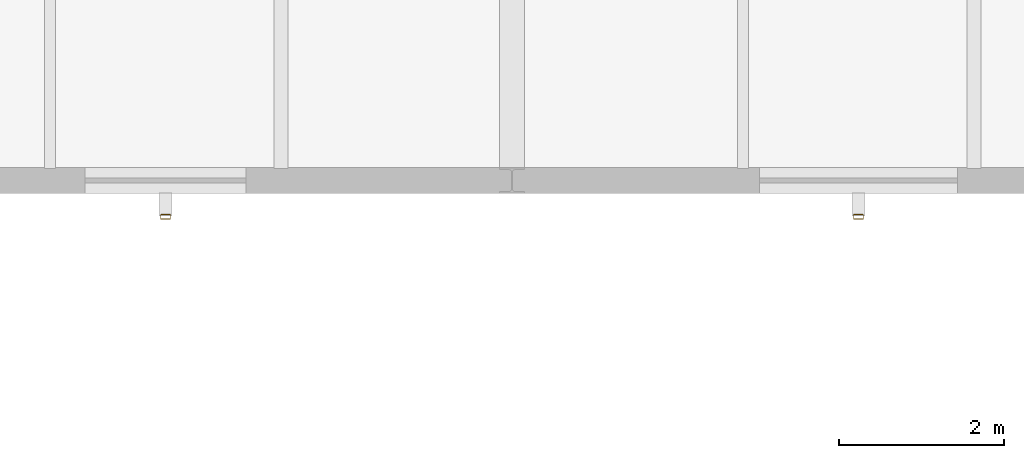
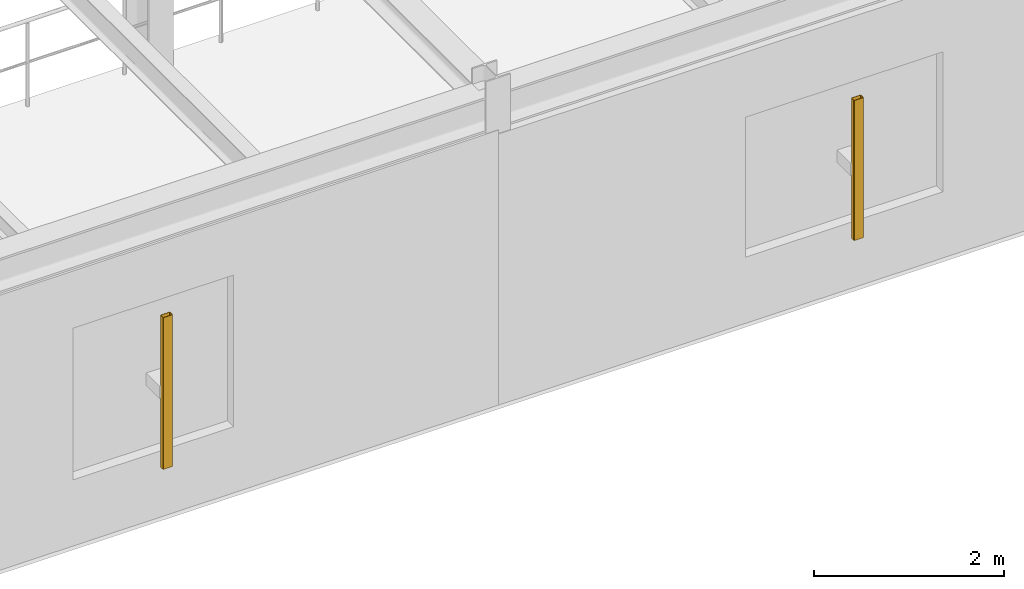
# One storey, part 90 of 109: 2 shading devices.
"""IFC4 building model written with IfcOpenShell, lengths in metres."""

from ifc_helpers import new_model, si_unit, derived_unit, direction, frame, origin, origin_2d, place, context, subcontext, project, spatial, hollow_rectangle, extrude, material, material_profile, profile_set, type_object, element, save


model = new_model("IFC4")

# Units and contexts
model_context = context("Model", 3, precision=1e-05, world=origin(), true_north=direction((0.0, 1.0)))
body_context = subcontext(model_context, "Body", "Model", "MODEL_VIEW")
ifc_project = project(units=[si_unit("LENGTHUNIT", "METRE"), si_unit("AREAUNIT", "SQUARE_METRE"), si_unit("VOLUMEUNIT", "CUBIC_METRE"), si_unit("PLANEANGLEUNIT", "RADIAN"), si_unit("MASSUNIT", "GRAM", prefix="KILO"), derived_unit("THERMALTRANSMITTANCEUNIT", [(si_unit("MASSUNIT", "GRAM", prefix="KILO"), 1), (si_unit("TIMEUNIT", "SECOND"), -3), (si_unit("THERMODYNAMICTEMPERATUREUNIT", "KELVIN"), -1)])], contexts=[model_context])

# Site, building, storey
site_placement = place(None, origin())
site = spatial("IfcSite", under=ifc_project, at=site_placement, CompositionType="ELEMENT")
building_placement = place(site_placement, origin())
building = spatial("IfcBuilding", under=site, at=building_placement, Name="Kharveza Railside Sports Centre", CompositionType="ELEMENT")
storey_placement = place(building_placement, frame((0.0, 0.0, 4.5)))
storey = spatial("IfcBuildingStorey", under=building, at=storey_placement, Name="L01", CompositionType="ELEMENT", Elevation=4.5)

# Shading devices
ifc_material = material(Name="Anodised aluminium 6063-T6", Category="aluminium")
ifc_material_profile = material_profile(ifc_material, hollow_rectangle(XDim=0.06005859375, YDim=0.1201171875, WallThickness=0.0048828125, InnerFilletRadius=0.0048828125, OuterFilletRadius=0.010009765625, at=origin_2d()), Name="RHS 60x120x5.0")
ifc_profile_set = profile_set([ifc_material_profile], Name="Anodised aluminium 6063-T6")
shading_device_type = type_object("IfcShadingDeviceType", Name="SD-LV01", PredefinedType="JALOUSIE", material=ifc_profile_set)
shading_device_1_placement = place(storey_placement, frame((113.39990234375, 71.56005859375, 0.85009765625), z_axis=(0.0, 0.0, 1.0), x_axis=(0.0, -1.0, 0.0)))
element("IfcShadingDevice", 1, at=shading_device_1_placement, inside=storey, type_object=shading_device_type, Name="SD-FIN-057", PredefinedType="JALOUSIE", context=body_context, shape_type="SweptSolid", body=[
    extrude(hollow_rectangle(XDim=0.06005859375, YDim=0.1201171875, WallThickness=0.0048828125, InnerFilletRadius=0.0048828125, OuterFilletRadius=0.010009765625, at=origin_2d()), origin(), (0.0, 0.0, 1.0), 1.949951171875),
])
shading_device_2_placement = place(storey_placement, frame((121.800048828125, 71.56005859375, 0.85009765625), z_axis=(0.0, 0.0, 1.0), x_axis=(0.0, -1.0, 0.0)))
element("IfcShadingDevice", 2, at=shading_device_2_placement, inside=storey, type_object=shading_device_type, Name="SD-FIN-058", PredefinedType="JALOUSIE", context=body_context, shape_type="SweptSolid", body=[
    extrude(hollow_rectangle(XDim=0.06005859375, YDim=0.1201171875, WallThickness=0.0048828125, InnerFilletRadius=0.0048828125, OuterFilletRadius=0.010009765625, at=origin_2d()), origin(), (0.0, 0.0, 1.0), 1.7998046875),
])

save(model, "model.ifc")
